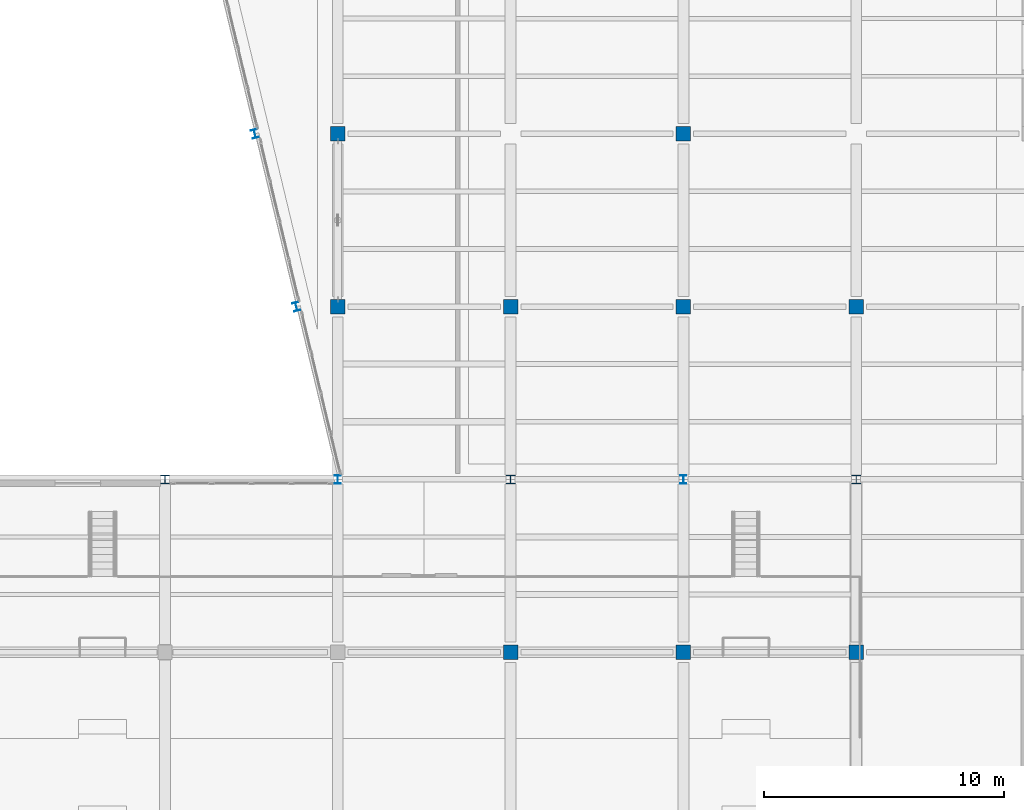
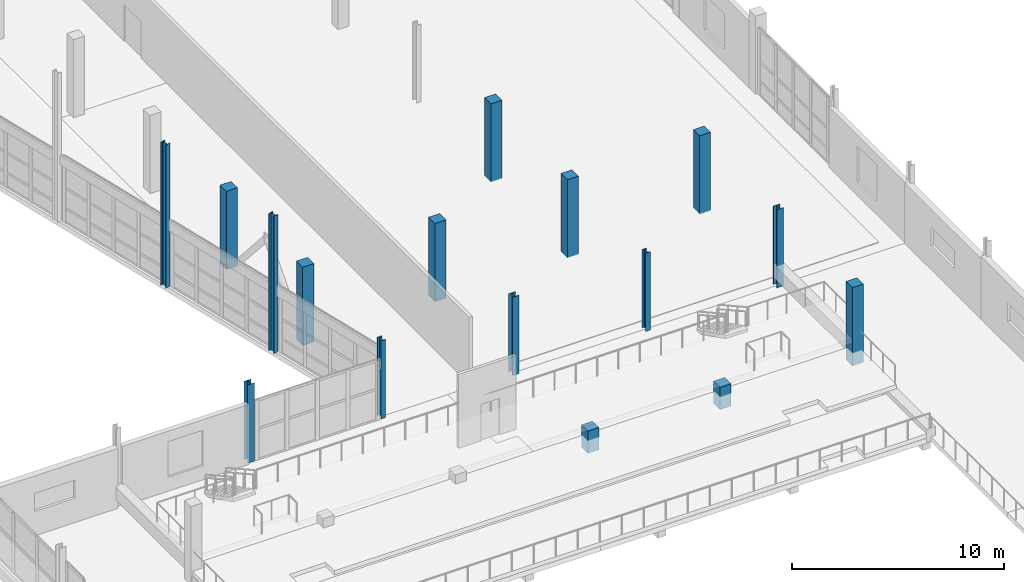
# One storey, part 20 of 123: 16 columns.
"""IFC4 building model written with IfcOpenShell, lengths in metres."""

from ifc_helpers import new_model, si_unit, direction, frame, origin, origin_2d, place, context, subcontext, project, spatial, rectangle, i_section, extrude, material, material_profile, profile_set, type_object, element, save


model = new_model("IFC4")

# Units and contexts
model_context = context("Model", 3, precision=1e-05, world=origin(), true_north=direction((0.0, 1.0)))
body_context = subcontext(model_context, "Body", "Model", "MODEL_VIEW")
ifc_project = project(units=[si_unit("LENGTHUNIT", "METRE"), si_unit("AREAUNIT", "SQUARE_METRE"), si_unit("VOLUMEUNIT", "CUBIC_METRE"), si_unit("PLANEANGLEUNIT", "RADIAN"), si_unit("MASSUNIT", "GRAM", prefix="KILO")], contexts=[model_context])

# Site, building, storey
site_placement = place(None, origin())
site = spatial("IfcSite", under=ifc_project, at=site_placement, CompositionType="ELEMENT")
building_placement = place(site_placement, origin())
building = spatial("IfcBuilding", under=site, at=building_placement, Name="Kalmorath City Hall", CompositionType="ELEMENT")
storey_placement = place(building_placement, frame((0.0, 0.0, 10.199951171875)))
storey = spatial("IfcBuildingStorey", under=building, at=storey_placement, Name="L02", CompositionType="ELEMENT", Elevation=10.199951171875)

# Columns
ifc_material_1 = material(Name="Concrete C50/60", Category="concrete")
ifc_material_profile_1 = material_profile(ifc_material_1, rectangle(XDim=0.60009765625, YDim=0.60009765625, at=origin_2d()), Name="RC-COL-600X600")
ifc_profile_set_1 = profile_set([ifc_material_profile_1], Name="Concrete C50/60")
column_type_1 = type_object("IfcColumnType", Name="Concrete column 600x600", PredefinedType="COLUMN", material=ifc_profile_set_1)
for number, where, z_axis, x_axis, name in (
    (1, (136.800048828125, 50.39990234375, 0.0), (0.0, 0.0, 1.0), (1.0, 0.0, 0.0), "L02 column C6 (20/8)"),
    (2, (136.800048828125, 57.60009765625, 0.0), (0.0, 0.0, 1.0), (1.0, 0.0, 0.0), "L02 column C6 (20/9)"),
    (3, (144.0, 50.39990234375, 0.0), (0.0, 0.0, 1.0), (1.0, 0.0, 0.0), "L02 column C6 (21/8)"),
    (4, (151.199951171875, 50.39990234375, 0.0), (0.0, 0.0, 1.0), (1.0, 0.0, 0.0), "L02 column C6 (22/8)"),
    (5, (151.199951171875, 57.60009765625, 0.0), (0.0, 0.0, 1.0), (1.0, 0.0, 0.0), "L02 column C6 (22/9)"),
    (6, (158.39990234375, 36.0, 0.0), (0.0, 0.0, 1.0), (1.0, 0.0, 0.0), "L02 column C6 (23/6)"),
    (7, (158.39990234375, 50.39990234375, 0.0), (0.0, 0.0, 1.0), (1.0, 0.0, 0.0), "L02 column C6 (23/8)"),
):
    element("IfcColumn", number, at=place(storey_placement, frame(where, z_axis=z_axis, x_axis=x_axis)), inside=storey, type_object=column_type_1, Name=name, PredefinedType="COLUMN", context=body_context, shape_type="SweptSolid", body=[
        extrude(rectangle(XDim=0.60009765625, YDim=0.60009765625, at=origin_2d()), origin(), (0.0, 0.0, 1.0), 4.5),
    ])
for number, where, z_axis, x_axis, name in (
    (8, (144.0, 36.0, 0.0), (0.0, 0.0, 1.0), (1.0, 0.0, 0.0), "L02 gallery tier column A-3"),
    (9, (151.199951171875, 36.0, 0.0), (0.0, 0.0, 1.0), (1.0, 0.0, 0.0), "L02 gallery tier column A-4"),
):
    element("IfcColumn", number, at=place(storey_placement, frame(where, z_axis=z_axis, x_axis=x_axis)), inside=storey, type_object=column_type_1, Name=name, PredefinedType="COLUMN", context=body_context, shape_type="SweptSolid", body=[
        extrude(rectangle(XDim=0.60009765625, YDim=0.60009765625, at=origin_2d()), origin(), (0.0, 0.0, 1.0), 1.280029296875),
    ])
ifc_material_2 = material(Name="Steel ASTM A992 Grade 50", Category="steel")
ifc_material_profile_2 = material_profile(ifc_material_2, i_section(OverallWidth=0.256103515625, OverallDepth=0.360107421875, WebThickness=0.011474609375, FlangeThickness=0.02001953125, FilletRadius=0.014892578125, at=origin_2d()), Name="W14X74")
ifc_profile_set_2 = profile_set([ifc_material_profile_2], Name="Steel ASTM A992 Grade 50")
column_type_2 = type_object("IfcColumnType", Name="Steel wide-flange column W14X74", PredefinedType="COLUMN", material=ifc_profile_set_2)
for number, where, z_axis, x_axis, name in (
    (10, (136.800048828125, 43.199951171875, 0.0), (0.0, 0.0, 1.0), (1.0, 0.0, 0.0), "L02 column SC4 (20/7)"),
    (11, (151.199951171875, 43.199951171875, 0.0), (0.0, 0.0, 1.0), (1.0, 0.0, 0.0), "L02 column SC4 (22/7)"),
):
    element("IfcColumn", number, at=place(storey_placement, frame(where, z_axis=z_axis, x_axis=x_axis)), inside=storey, type_object=column_type_2, Name=name, PredefinedType="COLUMN", context=body_context, shape_type="SweptSolid", body=[
        extrude(i_section(OverallWidth=0.256103515625, OverallDepth=0.360107421875, WebThickness=0.011474609375, FlangeThickness=0.02001953125, FilletRadius=0.014892578125, at=origin_2d()), origin(), (0.0, 0.0, 1.0), 4.5),
    ])
column_1_placement = place(storey_placement, frame((135.0712890625, 50.39990234375, 0.0), z_axis=(0.0, 0.0, 1.0), x_axis=(0.972369920398, 0.233445363856, 0.0)))
element("IfcColumn", 12, at=column_1_placement, inside=storey, type_object=column_type_2, Name="L02 library splay column SC4-2", PredefinedType="COLUMN", context=body_context, shape_type="SweptSolid", body=[
    extrude(i_section(OverallWidth=0.256103515625, OverallDepth=0.360107421875, WebThickness=0.011474609375, FlangeThickness=0.02001953125, FilletRadius=0.014892578125, at=origin_2d()), origin(), (0.0, 0.0, 1.0), 7.895263671875),
])
column_2_placement = place(storey_placement, frame((133.343017578125, 57.60009765625, 0.0), z_axis=(0.0, 0.0, 1.0), x_axis=(0.972369920398, 0.233445363856, 0.0)))
element("IfcColumn", 13, at=column_2_placement, inside=storey, type_object=column_type_2, Name="L02 library splay column SC4-3", PredefinedType="COLUMN", context=body_context, shape_type="SweptSolid", body=[
    extrude(i_section(OverallWidth=0.256103515625, OverallDepth=0.360107421875, WebThickness=0.011474609375, FlangeThickness=0.02001953125, FilletRadius=0.014892578125, at=origin_2d()), origin(), (0.0, 0.0, 1.0), 8.232177734375),
])
ifc_material_3 = material(Name="Steel ASTM A992 Grade 50", Category="steel")
ifc_material_profile_3 = material_profile(ifc_material_3, i_section(OverallWidth=0.368896484375, OverallDepth=0.35595703125, WebThickness=0.01123046875, FlangeThickness=0.01806640625, FilletRadius=0.01806640625, at=origin_2d()), Name="W14X90")
ifc_profile_set_3 = profile_set([ifc_material_profile_3], Name="Steel ASTM A992 Grade 50")
column_type_3 = type_object("IfcColumnType", Name="Steel wide-flange column W14X90", PredefinedType="COLUMN", material=ifc_profile_set_3)
for number, where, z_axis, x_axis, name in (
    (14, (129.60009765625, 43.199951171875, 0.0), (0.0, 0.0, 1.0), (1.0, 0.0, 0.0), "L02 column SC3 (19/7)"),
    (15, (144.0, 43.199951171875, 0.0), (0.0, 0.0, 1.0), (1.0, 0.0, 0.0), "L02 column SC3 (21/7)"),
    (16, (158.39990234375, 43.199951171875, 0.0), (0.0, 0.0, 1.0), (1.0, 0.0, 0.0), "L02 column SC3 (23/7)"),
):
    element("IfcColumn", number, at=place(storey_placement, frame(where, z_axis=z_axis, x_axis=x_axis)), inside=storey, type_object=column_type_3, Name=name, PredefinedType="COLUMN", context=body_context, shape_type="SweptSolid", body=[
        extrude(i_section(OverallWidth=0.368896484375, OverallDepth=0.35595703125, WebThickness=0.01123046875, FlangeThickness=0.01806640625, FilletRadius=0.01806640625, at=origin_2d()), origin(), (0.0, 0.0, 1.0), 4.5),
    ])

save(model, "model.ifc")
